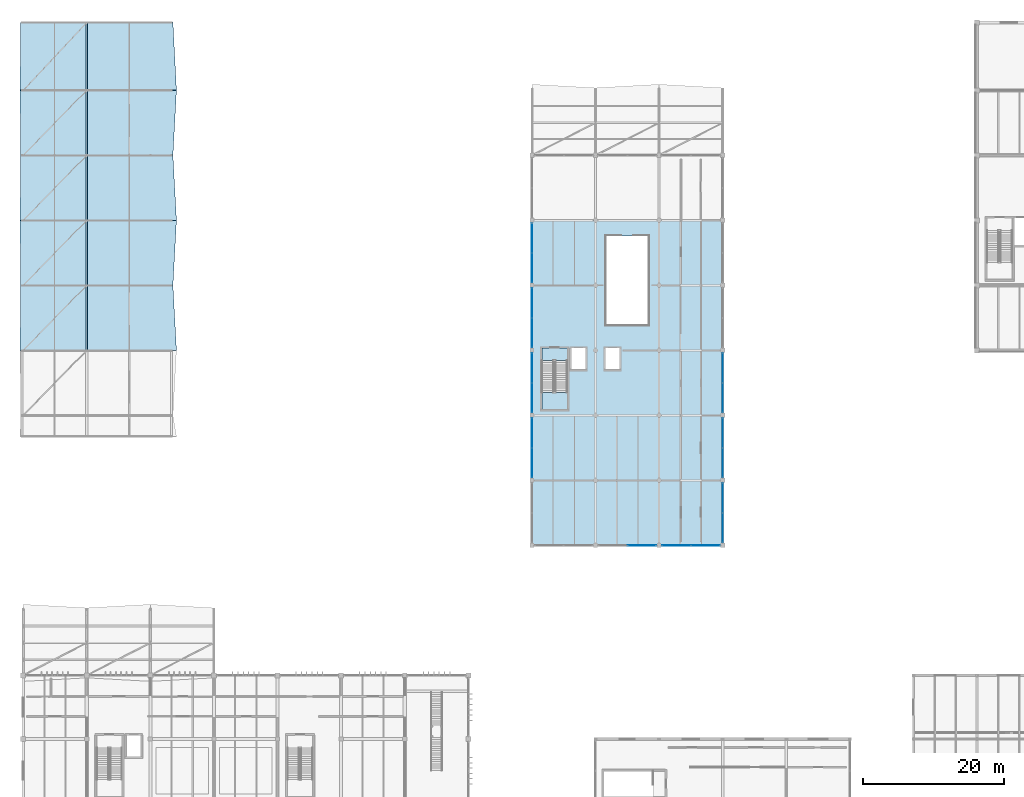
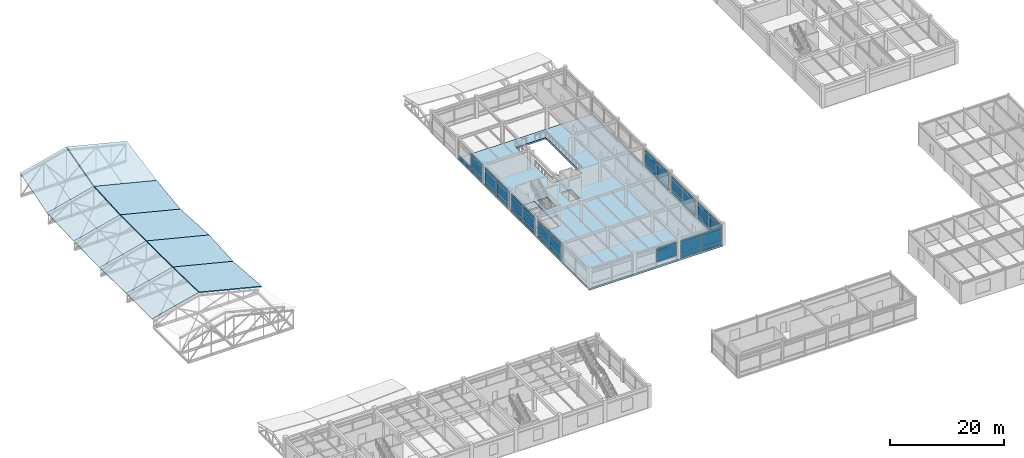
# One storey, part 36 of 61: 48 plates, 13 slabs, 10 elements without a shape of their own.
"""IFC4 building model written with IfcOpenShell, lengths in metres."""

from ifc_helpers import new_model, si_unit, direction, frame, origin, origin_2d, place, context, subcontext, project, spatial, polyline, rectangle, outline, extrude, material, layer, layer_set, type_object, element, aggregate, save


model = new_model("IFC4")

# Units and contexts
model_context = context("Model", 3, precision=1e-05, world=origin(), true_north=direction((0.0, 1.0)))
body_context = subcontext(model_context, "Body", "Model", "MODEL_VIEW")
ifc_project = project(units=[si_unit("LENGTHUNIT", "METRE"), si_unit("AREAUNIT", "SQUARE_METRE"), si_unit("VOLUMEUNIT", "CUBIC_METRE"), si_unit("PLANEANGLEUNIT", "RADIAN"), si_unit("MASSUNIT", "GRAM", prefix="KILO")], contexts=[model_context])

# Site, building, storey
site_placement = place(None, origin())
site = spatial("IfcSite", under=ifc_project, at=site_placement, CompositionType="ELEMENT")
building_placement = place(site_placement, origin())
building = spatial("IfcBuilding", under=site, at=building_placement, Name="Bozkorgan Art Gallery", CompositionType="ELEMENT")
storey_placement = place(building_placement, frame((0.0, 0.0, 10.199951171875)))
storey = spatial("IfcBuildingStorey", under=building, at=storey_placement, Name="L02", CompositionType="ELEMENT", Elevation=10.199951171875)

# Curtain wall, plates
ifc_material_1 = material(Name="Anodised Bronze Aluminium", Category="aluminium")
curtain_wall_type_1 = type_object("IfcCurtainWallType", Name="CW-CW-11", PredefinedType="NOTDEFINED", material=ifc_material_1)
curtain_wall_1_placement = place(storey_placement, origin())
curtain_wall_1 = element("IfcCurtainWall", 1, at=curtain_wall_1_placement, inside=storey, type_object=curtain_wall_type_1, Name="L02 unitised curtain wall CW-V4-L02-1S-03", PredefinedType="NOTDEFINED")
ifc_material_2 = material(Name="Triple Low-E Laminated Glass", Category="glass")
ifc_layer_1 = layer(ifc_material_2, 0.0439453125, Name="Triple Low-E Laminated Glass")
ifc_layer_set_1 = layer_set([ifc_layer_1], Name="Triple Low-E Laminated Glass")
plate_type = type_object("IfcPlateType", Name="CWP-GLZ", PredefinedType="CURTAIN_PANEL", material=ifc_layer_set_1)
plate_1_placement = place(storey_placement, frame((89.548828125, 38.39990234375, 0.95751953125), z_axis=(0.0, 0.0, 1.0), x_axis=(1.0, 0.0, 0.0)))
plate_1 = element("IfcPlate", 2, at=plate_1_placement, type_object=plate_type, Name="CW-11 panel 2.2", PredefinedType="CURTAIN_PANEL", context=body_context, shape_type="SweptSolid", body=[
    extrude(rectangle(XDim=4.0224609375, YDim=0.0439453125, at=origin_2d()), origin(), (0.0, 0.0, 1.0), 2.280029296875),
])
plate_2_placement = place(storey_placement, frame((89.548828125, 38.39990234375, 3.3125), z_axis=(0.0, 0.0, 1.0), x_axis=(1.0, 0.0, 0.0)))
plate_2 = element("IfcPlate", 3, at=plate_2_placement, type_object=plate_type, Name="CW-11 panel 2.3", PredefinedType="CURTAIN_PANEL", context=body_context, shape_type="SweptSolid", body=[
    extrude(rectangle(XDim=4.0224609375, YDim=0.0439453125, at=origin_2d()), origin(), (0.0, 0.0, 1.0), 0.53759765625),
])
aggregate(curtain_wall_1, [plate_1, plate_2])

curtain_wall_2_placement = place(storey_placement, origin())
curtain_wall_2 = element("IfcCurtainWall", 4, at=curtain_wall_2_placement, inside=storey, type_object=curtain_wall_type_1, Name="L02 unitised curtain wall CW-V4-L02-1S-05", PredefinedType="NOTDEFINED")
plate_3_placement = place(storey_placement, frame((94.451171875, 38.39990234375, 0.094970703125), z_axis=(0.0, 0.0, 1.0), x_axis=(1.0, 0.0, 0.0)))
plate_3 = element("IfcPlate", 5, at=plate_3_placement, type_object=plate_type, Name="CW-11 panel 1.1", PredefinedType="CURTAIN_PANEL", context=body_context, shape_type="SweptSolid", body=[
    extrude(rectangle(XDim=4.0224609375, YDim=0.0439453125, at=origin_2d()), origin(), (0.0, 0.0, 1.0), 0.78759765625),
])
plate_4_placement = place(storey_placement, frame((94.451171875, 38.39990234375, 0.95751953125), z_axis=(0.0, 0.0, 1.0), x_axis=(1.0, 0.0, 0.0)))
plate_4 = element("IfcPlate", 6, at=plate_4_placement, type_object=plate_type, Name="CW-11 panel 1.2", PredefinedType="CURTAIN_PANEL", context=body_context, shape_type="SweptSolid", body=[
    extrude(rectangle(XDim=4.0224609375, YDim=0.0439453125, at=origin_2d()), origin(), (0.0, 0.0, 1.0), 2.280029296875),
])
plate_5_placement = place(storey_placement, frame((94.451171875, 38.39990234375, 3.3125), z_axis=(0.0, 0.0, 1.0), x_axis=(1.0, 0.0, 0.0)))
plate_5 = element("IfcPlate", 7, at=plate_5_placement, type_object=plate_type, Name="CW-11 panel 1.3", PredefinedType="CURTAIN_PANEL", context=body_context, shape_type="SweptSolid", body=[
    extrude(rectangle(XDim=4.0224609375, YDim=0.0439453125, at=origin_2d()), origin(), (0.0, 0.0, 1.0), 0.53759765625),
])
plate_6_placement = place(storey_placement, frame((98.548828125, 38.39990234375, 0.094970703125), z_axis=(0.0, 0.0, 1.0), x_axis=(1.0, 0.0, 0.0)))
plate_6 = element("IfcPlate", 8, at=plate_6_placement, type_object=plate_type, Name="CW-11 panel 2.1", PredefinedType="CURTAIN_PANEL", context=body_context, shape_type="SweptSolid", body=[
    extrude(rectangle(XDim=4.0224609375, YDim=0.0439453125, at=origin_2d()), origin(), (0.0, 0.0, 1.0), 0.78759765625),
])
plate_7_placement = place(storey_placement, frame((98.548828125, 38.39990234375, 0.95751953125), z_axis=(0.0, 0.0, 1.0), x_axis=(1.0, 0.0, 0.0)))
plate_7 = element("IfcPlate", 9, at=plate_7_placement, type_object=plate_type, Name="CW-11 panel 2.2", PredefinedType="CURTAIN_PANEL", context=body_context, shape_type="SweptSolid", body=[
    extrude(rectangle(XDim=4.0224609375, YDim=0.0439453125, at=origin_2d()), origin(), (0.0, 0.0, 1.0), 2.280029296875),
])
plate_8_placement = place(storey_placement, frame((98.548828125, 38.39990234375, 3.3125), z_axis=(0.0, 0.0, 1.0), x_axis=(1.0, 0.0, 0.0)))
plate_8 = element("IfcPlate", 10, at=plate_8_placement, type_object=plate_type, Name="CW-11 panel 2.3", PredefinedType="CURTAIN_PANEL", context=body_context, shape_type="SweptSolid", body=[
    extrude(rectangle(XDim=4.0224609375, YDim=0.0439453125, at=origin_2d()), origin(), (0.0, 0.0, 1.0), 0.53759765625),
])
aggregate(curtain_wall_2, [plate_3, plate_4, plate_5, plate_6, plate_7, plate_8])

curtain_wall_type_2 = type_object("IfcCurtainWallType", Name="CW-CW-99", PredefinedType="NOTDEFINED", material=ifc_material_1)
curtain_wall_3_placement = place(storey_placement, origin())
curtain_wall_3 = element("IfcCurtainWall", 11, at=curtain_wall_3_placement, inside=storey, type_object=curtain_wall_type_2, Name="L02 unitised curtain wall CW-V4-L02-1E-08", PredefinedType="NOTDEFINED")
plate_9_placement = place(storey_placement, frame((101.0, 40.9013671875, 0.10009765625), z_axis=(0.0, 0.0, 1.0), x_axis=(0.0, 1.0, 0.0)))
plate_9 = element("IfcPlate", 12, at=plate_9_placement, type_object=plate_type, Name="CW-99 panel 1.1", PredefinedType="CURTAIN_PANEL", context=body_context, shape_type="SweptSolid", body=[
    extrude(rectangle(XDim=4.12255859375, YDim=0.0439453125, at=origin_2d()), origin(), (0.0, 0.0, 1.0), 0.780029296875),
])
plate_10_placement = place(storey_placement, frame((101.0, 40.9013671875, 0.960205078125), z_axis=(0.0, 0.0, 1.0), x_axis=(0.0, 1.0, 0.0)))
plate_10 = element("IfcPlate", 13, at=plate_10_placement, type_object=plate_type, Name="CW-99 panel 1.2", PredefinedType="CURTAIN_PANEL", context=body_context, shape_type="SweptSolid", body=[
    extrude(rectangle(XDim=4.12255859375, YDim=0.0439453125, at=origin_2d()), origin(), (0.0, 0.0, 1.0), 2.27490234375),
])
plate_11_placement = place(storey_placement, frame((101.0, 40.9013671875, 3.31494140625), z_axis=(0.0, 0.0, 1.0), x_axis=(0.0, 1.0, 0.0)))
plate_11 = element("IfcPlate", 14, at=plate_11_placement, type_object=plate_type, Name="CW-99 panel 1.3", PredefinedType="CURTAIN_PANEL", context=body_context, shape_type="SweptSolid", body=[
    extrude(rectangle(XDim=4.12255859375, YDim=0.0439453125, at=origin_2d()), origin(), (0.0, 0.0, 1.0), 0.530029296875),
])
plate_12_placement = place(storey_placement, frame((101.0, 45.0986328125, 0.10009765625), z_axis=(0.0, 0.0, 1.0), x_axis=(0.0, 1.0, 0.0)))
plate_12 = element("IfcPlate", 15, at=plate_12_placement, type_object=plate_type, Name="CW-99 panel 2.1", PredefinedType="CURTAIN_PANEL", context=body_context, shape_type="SweptSolid", body=[
    extrude(rectangle(XDim=4.12255859375, YDim=0.0439453125, at=origin_2d()), origin(), (0.0, 0.0, 1.0), 0.780029296875),
])
plate_13_placement = place(storey_placement, frame((101.0, 45.0986328125, 0.960205078125), z_axis=(0.0, 0.0, 1.0), x_axis=(0.0, 1.0, 0.0)))
plate_13 = element("IfcPlate", 16, at=plate_13_placement, type_object=plate_type, Name="CW-99 panel 2.2", PredefinedType="CURTAIN_PANEL", context=body_context, shape_type="SweptSolid", body=[
    extrude(rectangle(XDim=4.12255859375, YDim=0.0439453125, at=origin_2d()), origin(), (0.0, 0.0, 1.0), 2.27490234375),
])
plate_14_placement = place(storey_placement, frame((101.0, 45.0986328125, 3.31494140625), z_axis=(0.0, 0.0, 1.0), x_axis=(0.0, 1.0, 0.0)))
plate_14 = element("IfcPlate", 17, at=plate_14_placement, type_object=plate_type, Name="CW-99 panel 2.3", PredefinedType="CURTAIN_PANEL", context=body_context, shape_type="SweptSolid", body=[
    extrude(rectangle(XDim=4.12255859375, YDim=0.0439453125, at=origin_2d()), origin(), (0.0, 0.0, 1.0), 0.530029296875),
])
aggregate(curtain_wall_3, [plate_9, plate_10, plate_11, plate_12, plate_13, plate_14])

curtain_wall_4_placement = place(storey_placement, origin())
curtain_wall_4 = element("IfcCurtainWall", 18, at=curtain_wall_4_placement, inside=storey, type_object=curtain_wall_type_2, Name="L02 unitised curtain wall CW-V4-L02-1W-09", PredefinedType="NOTDEFINED")
plate_15_placement = place(storey_placement, frame((74.0, 50.101318359375, 0.10009765625), z_axis=(0.0, 0.0, 1.0), x_axis=(0.0, 1.0, 0.0)))
plate_15 = element("IfcPlate", 19, at=plate_15_placement, type_object=plate_type, Name="CW-99 panel 1.1", PredefinedType="CURTAIN_PANEL", context=body_context, shape_type="SweptSolid", body=[
    extrude(rectangle(XDim=4.12255859375, YDim=0.0439453125, at=origin_2d()), origin(), (0.0, 0.0, 1.0), 0.780029296875),
])
plate_16_placement = place(storey_placement, frame((74.0, 50.101318359375, 0.960205078125), z_axis=(0.0, 0.0, 1.0), x_axis=(0.0, 1.0, 0.0)))
plate_16 = element("IfcPlate", 20, at=plate_16_placement, type_object=plate_type, Name="CW-99 panel 1.2", PredefinedType="CURTAIN_PANEL", context=body_context, shape_type="SweptSolid", body=[
    extrude(rectangle(XDim=4.12255859375, YDim=0.0439453125, at=origin_2d()), origin(), (0.0, 0.0, 1.0), 2.27490234375),
])
plate_17_placement = place(storey_placement, frame((74.0, 50.101318359375, 3.31494140625), z_axis=(0.0, 0.0, 1.0), x_axis=(0.0, 1.0, 0.0)))
plate_17 = element("IfcPlate", 21, at=plate_17_placement, type_object=plate_type, Name="CW-99 panel 1.3", PredefinedType="CURTAIN_PANEL", context=body_context, shape_type="SweptSolid", body=[
    extrude(rectangle(XDim=4.12255859375, YDim=0.0439453125, at=origin_2d()), origin(), (0.0, 0.0, 1.0), 0.530029296875),
])
plate_18_placement = place(storey_placement, frame((74.0, 54.298828125, 0.10009765625), z_axis=(0.0, 0.0, 1.0), x_axis=(0.0, 1.0, 0.0)))
plate_18 = element("IfcPlate", 22, at=plate_18_placement, type_object=plate_type, Name="CW-99 panel 2.1", PredefinedType="CURTAIN_PANEL", context=body_context, shape_type="SweptSolid", body=[
    extrude(rectangle(XDim=4.12255859375, YDim=0.0439453125, at=origin_2d()), origin(), (0.0, 0.0, 1.0), 0.780029296875),
])
plate_19_placement = place(storey_placement, frame((74.0, 54.298828125, 0.960205078125), z_axis=(0.0, 0.0, 1.0), x_axis=(0.0, 1.0, 0.0)))
plate_19 = element("IfcPlate", 23, at=plate_19_placement, type_object=plate_type, Name="CW-99 panel 2.2", PredefinedType="CURTAIN_PANEL", context=body_context, shape_type="SweptSolid", body=[
    extrude(rectangle(XDim=4.12255859375, YDim=0.0439453125, at=origin_2d()), origin(), (0.0, 0.0, 1.0), 2.27490234375),
])
plate_20_placement = place(storey_placement, frame((74.0, 54.298828125, 3.31494140625), z_axis=(0.0, 0.0, 1.0), x_axis=(0.0, 1.0, 0.0)))
plate_20 = element("IfcPlate", 24, at=plate_20_placement, type_object=plate_type, Name="CW-99 panel 2.3", PredefinedType="CURTAIN_PANEL", context=body_context, shape_type="SweptSolid", body=[
    extrude(rectangle(XDim=4.12255859375, YDim=0.0439453125, at=origin_2d()), origin(), (0.0, 0.0, 1.0), 0.530029296875),
])
aggregate(curtain_wall_4, [plate_15, plate_16, plate_17, plate_18, plate_19, plate_20])

curtain_wall_5_placement = place(storey_placement, origin())
curtain_wall_5 = element("IfcCurtainWall", 25, at=curtain_wall_5_placement, inside=storey, type_object=curtain_wall_type_2, Name="L02 unitised curtain wall CW-V4-L02-1E-10", PredefinedType="NOTDEFINED")
plate_21_placement = place(storey_placement, frame((101.0, 50.101318359375, 0.10009765625), z_axis=(0.0, 0.0, 1.0), x_axis=(0.0, 1.0, 0.0)))
plate_21 = element("IfcPlate", 26, at=plate_21_placement, type_object=plate_type, Name="CW-99 panel 1.1", PredefinedType="CURTAIN_PANEL", context=body_context, shape_type="SweptSolid", body=[
    extrude(rectangle(XDim=4.12255859375, YDim=0.0439453125, at=origin_2d()), origin(), (0.0, 0.0, 1.0), 0.780029296875),
])
plate_22_placement = place(storey_placement, frame((101.0, 50.101318359375, 0.960205078125), z_axis=(0.0, 0.0, 1.0), x_axis=(0.0, 1.0, 0.0)))
plate_22 = element("IfcPlate", 27, at=plate_22_placement, type_object=plate_type, Name="CW-99 panel 1.2", PredefinedType="CURTAIN_PANEL", context=body_context, shape_type="SweptSolid", body=[
    extrude(rectangle(XDim=4.12255859375, YDim=0.0439453125, at=origin_2d()), origin(), (0.0, 0.0, 1.0), 2.27490234375),
])
plate_23_placement = place(storey_placement, frame((101.0, 50.101318359375, 3.31494140625), z_axis=(0.0, 0.0, 1.0), x_axis=(0.0, 1.0, 0.0)))
plate_23 = element("IfcPlate", 28, at=plate_23_placement, type_object=plate_type, Name="CW-99 panel 1.3", PredefinedType="CURTAIN_PANEL", context=body_context, shape_type="SweptSolid", body=[
    extrude(rectangle(XDim=4.12255859375, YDim=0.0439453125, at=origin_2d()), origin(), (0.0, 0.0, 1.0), 0.530029296875),
])
plate_24_placement = place(storey_placement, frame((101.0, 54.298828125, 0.10009765625), z_axis=(0.0, 0.0, 1.0), x_axis=(0.0, 1.0, 0.0)))
plate_24 = element("IfcPlate", 29, at=plate_24_placement, type_object=plate_type, Name="CW-99 panel 2.1", PredefinedType="CURTAIN_PANEL", context=body_context, shape_type="SweptSolid", body=[
    extrude(rectangle(XDim=4.12255859375, YDim=0.0439453125, at=origin_2d()), origin(), (0.0, 0.0, 1.0), 0.780029296875),
])
plate_25_placement = place(storey_placement, frame((101.0, 54.298828125, 0.960205078125), z_axis=(0.0, 0.0, 1.0), x_axis=(0.0, 1.0, 0.0)))
plate_25 = element("IfcPlate", 30, at=plate_25_placement, type_object=plate_type, Name="CW-99 panel 2.2", PredefinedType="CURTAIN_PANEL", context=body_context, shape_type="SweptSolid", body=[
    extrude(rectangle(XDim=4.12255859375, YDim=0.0439453125, at=origin_2d()), origin(), (0.0, 0.0, 1.0), 2.27490234375),
])
plate_26_placement = place(storey_placement, frame((101.0, 54.298828125, 3.31494140625), z_axis=(0.0, 0.0, 1.0), x_axis=(0.0, 1.0, 0.0)))
plate_26 = element("IfcPlate", 31, at=plate_26_placement, type_object=plate_type, Name="CW-99 panel 2.3", PredefinedType="CURTAIN_PANEL", context=body_context, shape_type="SweptSolid", body=[
    extrude(rectangle(XDim=4.12255859375, YDim=0.0439453125, at=origin_2d()), origin(), (0.0, 0.0, 1.0), 0.530029296875),
])
aggregate(curtain_wall_5, [plate_21, plate_22, plate_23, plate_24, plate_25, plate_26])

curtain_wall_6_placement = place(storey_placement, origin())
curtain_wall_6 = element("IfcCurtainWall", 32, at=curtain_wall_6_placement, inside=storey, type_object=curtain_wall_type_2, Name="L02 unitised curtain wall CW-V4-L02-1W-11", PredefinedType="NOTDEFINED")
plate_27_placement = place(storey_placement, frame((74.0, 59.30126953125, 0.10009765625), z_axis=(0.0, 0.0, 1.0), x_axis=(0.0, 1.0, 0.0)))
plate_27 = element("IfcPlate", 33, at=plate_27_placement, type_object=plate_type, Name="CW-99 panel 1.1", PredefinedType="CURTAIN_PANEL", context=body_context, shape_type="SweptSolid", body=[
    extrude(rectangle(XDim=4.12255859375, YDim=0.0439453125, at=origin_2d()), origin(), (0.0, 0.0, 1.0), 0.780029296875),
])
plate_28_placement = place(storey_placement, frame((74.0, 59.30126953125, 0.960205078125), z_axis=(0.0, 0.0, 1.0), x_axis=(0.0, 1.0, 0.0)))
plate_28 = element("IfcPlate", 34, at=plate_28_placement, type_object=plate_type, Name="CW-99 panel 1.2", PredefinedType="CURTAIN_PANEL", context=body_context, shape_type="SweptSolid", body=[
    extrude(rectangle(XDim=4.12255859375, YDim=0.0439453125, at=origin_2d()), origin(), (0.0, 0.0, 1.0), 2.27490234375),
])
plate_29_placement = place(storey_placement, frame((74.0, 59.30126953125, 3.31494140625), z_axis=(0.0, 0.0, 1.0), x_axis=(0.0, 1.0, 0.0)))
plate_29 = element("IfcPlate", 35, at=plate_29_placement, type_object=plate_type, Name="CW-99 panel 1.3", PredefinedType="CURTAIN_PANEL", context=body_context, shape_type="SweptSolid", body=[
    extrude(rectangle(XDim=4.12255859375, YDim=0.0439453125, at=origin_2d()), origin(), (0.0, 0.0, 1.0), 0.530029296875),
])
plate_30_placement = place(storey_placement, frame((74.0, 63.498779296875, 0.10009765625), z_axis=(0.0, 0.0, 1.0), x_axis=(0.0, 1.0, 0.0)))
plate_30 = element("IfcPlate", 36, at=plate_30_placement, type_object=plate_type, Name="CW-99 panel 2.1", PredefinedType="CURTAIN_PANEL", context=body_context, shape_type="SweptSolid", body=[
    extrude(rectangle(XDim=4.12255859375, YDim=0.0439453125, at=origin_2d()), origin(), (0.0, 0.0, 1.0), 0.780029296875),
])
plate_31_placement = place(storey_placement, frame((74.0, 63.498779296875, 0.960205078125), z_axis=(0.0, 0.0, 1.0), x_axis=(0.0, 1.0, 0.0)))
plate_31 = element("IfcPlate", 37, at=plate_31_placement, type_object=plate_type, Name="CW-99 panel 2.2", PredefinedType="CURTAIN_PANEL", context=body_context, shape_type="SweptSolid", body=[
    extrude(rectangle(XDim=4.12255859375, YDim=0.0439453125, at=origin_2d()), origin(), (0.0, 0.0, 1.0), 2.27490234375),
])
plate_32_placement = place(storey_placement, frame((74.0, 63.498779296875, 3.31494140625), z_axis=(0.0, 0.0, 1.0), x_axis=(0.0, 1.0, 0.0)))
plate_32 = element("IfcPlate", 38, at=plate_32_placement, type_object=plate_type, Name="CW-99 panel 2.3", PredefinedType="CURTAIN_PANEL", context=body_context, shape_type="SweptSolid", body=[
    extrude(rectangle(XDim=4.12255859375, YDim=0.0439453125, at=origin_2d()), origin(), (0.0, 0.0, 1.0), 0.530029296875),
])
aggregate(curtain_wall_6, [plate_27, plate_28, plate_29, plate_30, plate_31, plate_32])

curtain_wall_7_placement = place(storey_placement, origin())
curtain_wall_7 = element("IfcCurtainWall", 39, at=curtain_wall_7_placement, inside=storey, type_object=curtain_wall_type_2, Name="L02 unitised curtain wall CW-V4-L02-1E-12", PredefinedType="NOTDEFINED")
plate_33_placement = place(storey_placement, frame((101.0, 59.30126953125, 0.10009765625), z_axis=(0.0, 0.0, 1.0), x_axis=(0.0, 1.0, 0.0)))
plate_33 = element("IfcPlate", 40, at=plate_33_placement, type_object=plate_type, Name="CW-99 panel 1.1", PredefinedType="CURTAIN_PANEL", context=body_context, shape_type="SweptSolid", body=[
    extrude(rectangle(XDim=4.12255859375, YDim=0.0439453125, at=origin_2d()), origin(), (0.0, 0.0, 1.0), 0.780029296875),
])
plate_34_placement = place(storey_placement, frame((101.0, 59.30126953125, 0.960205078125), z_axis=(0.0, 0.0, 1.0), x_axis=(0.0, 1.0, 0.0)))
plate_34 = element("IfcPlate", 41, at=plate_34_placement, type_object=plate_type, Name="CW-99 panel 1.2", PredefinedType="CURTAIN_PANEL", context=body_context, shape_type="SweptSolid", body=[
    extrude(rectangle(XDim=4.12255859375, YDim=0.0439453125, at=origin_2d()), origin(), (0.0, 0.0, 1.0), 2.27490234375),
])
plate_35_placement = place(storey_placement, frame((101.0, 59.30126953125, 3.31494140625), z_axis=(0.0, 0.0, 1.0), x_axis=(0.0, 1.0, 0.0)))
plate_35 = element("IfcPlate", 42, at=plate_35_placement, type_object=plate_type, Name="CW-99 panel 1.3", PredefinedType="CURTAIN_PANEL", context=body_context, shape_type="SweptSolid", body=[
    extrude(rectangle(XDim=4.12255859375, YDim=0.0439453125, at=origin_2d()), origin(), (0.0, 0.0, 1.0), 0.530029296875),
])
plate_36_placement = place(storey_placement, frame((101.0, 63.498779296875, 0.10009765625), z_axis=(0.0, 0.0, 1.0), x_axis=(0.0, 1.0, 0.0)))
plate_36 = element("IfcPlate", 43, at=plate_36_placement, type_object=plate_type, Name="CW-99 panel 2.1", PredefinedType="CURTAIN_PANEL", context=body_context, shape_type="SweptSolid", body=[
    extrude(rectangle(XDim=4.12255859375, YDim=0.0439453125, at=origin_2d()), origin(), (0.0, 0.0, 1.0), 0.780029296875),
])
plate_37_placement = place(storey_placement, frame((101.0, 63.498779296875, 0.960205078125), z_axis=(0.0, 0.0, 1.0), x_axis=(0.0, 1.0, 0.0)))
plate_37 = element("IfcPlate", 44, at=plate_37_placement, type_object=plate_type, Name="CW-99 panel 2.2", PredefinedType="CURTAIN_PANEL", context=body_context, shape_type="SweptSolid", body=[
    extrude(rectangle(XDim=4.12255859375, YDim=0.0439453125, at=origin_2d()), origin(), (0.0, 0.0, 1.0), 2.27490234375),
])
plate_38_placement = place(storey_placement, frame((101.0, 63.498779296875, 3.31494140625), z_axis=(0.0, 0.0, 1.0), x_axis=(0.0, 1.0, 0.0)))
plate_38 = element("IfcPlate", 45, at=plate_38_placement, type_object=plate_type, Name="CW-99 panel 2.3", PredefinedType="CURTAIN_PANEL", context=body_context, shape_type="SweptSolid", body=[
    extrude(rectangle(XDim=4.12255859375, YDim=0.0439453125, at=origin_2d()), origin(), (0.0, 0.0, 1.0), 0.530029296875),
])
aggregate(curtain_wall_7, [plate_33, plate_34, plate_35, plate_36, plate_37, plate_38])

curtain_wall_8_placement = place(storey_placement, origin())
curtain_wall_8 = element("IfcCurtainWall", 46, at=curtain_wall_8_placement, inside=storey, type_object=curtain_wall_type_2, Name="L02 unitised curtain wall CW-V4-L02-1W-13", PredefinedType="NOTDEFINED")
plate_39_placement = place(storey_placement, frame((74.0, 68.501220703125, 0.10009765625), z_axis=(0.0, 0.0, 1.0), x_axis=(0.0, 1.0, 0.0)))
plate_39 = element("IfcPlate", 47, at=plate_39_placement, type_object=plate_type, Name="CW-99 panel 1.1", PredefinedType="CURTAIN_PANEL", context=body_context, shape_type="SweptSolid", body=[
    extrude(rectangle(XDim=4.12255859375, YDim=0.0439453125, at=origin_2d()), origin(), (0.0, 0.0, 1.0), 0.780029296875),
])
plate_40_placement = place(storey_placement, frame((74.0, 68.501220703125, 0.960205078125), z_axis=(0.0, 0.0, 1.0), x_axis=(0.0, 1.0, 0.0)))
plate_40 = element("IfcPlate", 48, at=plate_40_placement, type_object=plate_type, Name="CW-99 panel 1.2", PredefinedType="CURTAIN_PANEL", context=body_context, shape_type="SweptSolid", body=[
    extrude(rectangle(XDim=4.12255859375, YDim=0.0439453125, at=origin_2d()), origin(), (0.0, 0.0, 1.0), 2.27490234375),
])
plate_41_placement = place(storey_placement, frame((74.0, 68.501220703125, 3.31494140625), z_axis=(0.0, 0.0, 1.0), x_axis=(0.0, 1.0, 0.0)))
plate_41 = element("IfcPlate", 49, at=plate_41_placement, type_object=plate_type, Name="CW-99 panel 1.3", PredefinedType="CURTAIN_PANEL", context=body_context, shape_type="SweptSolid", body=[
    extrude(rectangle(XDim=4.12255859375, YDim=0.0439453125, at=origin_2d()), origin(), (0.0, 0.0, 1.0), 0.530029296875),
])
plate_42_placement = place(storey_placement, frame((74.0, 72.69873046875, 0.10009765625), z_axis=(0.0, 0.0, 1.0), x_axis=(0.0, 1.0, 0.0)))
plate_42 = element("IfcPlate", 50, at=plate_42_placement, type_object=plate_type, Name="CW-99 panel 2.1", PredefinedType="CURTAIN_PANEL", context=body_context, shape_type="SweptSolid", body=[
    extrude(rectangle(XDim=4.12255859375, YDim=0.0439453125, at=origin_2d()), origin(), (0.0, 0.0, 1.0), 0.780029296875),
])
plate_43_placement = place(storey_placement, frame((74.0, 72.69873046875, 0.960205078125), z_axis=(0.0, 0.0, 1.0), x_axis=(0.0, 1.0, 0.0)))
plate_43 = element("IfcPlate", 51, at=plate_43_placement, type_object=plate_type, Name="CW-99 panel 2.2", PredefinedType="CURTAIN_PANEL", context=body_context, shape_type="SweptSolid", body=[
    extrude(rectangle(XDim=4.12255859375, YDim=0.0439453125, at=origin_2d()), origin(), (0.0, 0.0, 1.0), 2.27490234375),
])
plate_44_placement = place(storey_placement, frame((74.0, 72.69873046875, 3.31494140625), z_axis=(0.0, 0.0, 1.0), x_axis=(0.0, 1.0, 0.0)))
plate_44 = element("IfcPlate", 52, at=plate_44_placement, type_object=plate_type, Name="CW-99 panel 2.3", PredefinedType="CURTAIN_PANEL", context=body_context, shape_type="SweptSolid", body=[
    extrude(rectangle(XDim=4.12255859375, YDim=0.0439453125, at=origin_2d()), origin(), (0.0, 0.0, 1.0), 0.530029296875),
])
aggregate(curtain_wall_8, [plate_39, plate_40, plate_41, plate_42, plate_43, plate_44])

curtain_wall_9_placement = place(storey_placement, origin())
curtain_wall_9 = element("IfcCurtainWall", 53, at=curtain_wall_9_placement, inside=storey, type_object=curtain_wall_type_2, Name="L02 unitised curtain wall CW-V4-L02-1W-15", PredefinedType="NOTDEFINED")
plate_45_placement = place(storey_placement, frame((74.0, 77.701171875, 0.10009765625), z_axis=(0.0, 0.0, 1.0), x_axis=(0.0, 1.0, 0.0)))
plate_45 = element("IfcPlate", 54, at=plate_45_placement, type_object=plate_type, Name="CW-99 panel 1.1", PredefinedType="CURTAIN_PANEL", context=body_context, shape_type="SweptSolid", body=[
    extrude(rectangle(XDim=4.12255859375, YDim=0.0439453125, at=origin_2d()), origin(), (0.0, 0.0, 1.0), 0.780029296875),
])
plate_46_placement = place(storey_placement, frame((74.0, 77.701171875, 0.960205078125), z_axis=(0.0, 0.0, 1.0), x_axis=(0.0, 1.0, 0.0)))
plate_46 = element("IfcPlate", 55, at=plate_46_placement, type_object=plate_type, Name="CW-99 panel 1.2", PredefinedType="CURTAIN_PANEL", context=body_context, shape_type="SweptSolid", body=[
    extrude(rectangle(XDim=4.12255859375, YDim=0.0439453125, at=origin_2d()), origin(), (0.0, 0.0, 1.0), 2.27490234375),
])
plate_47_placement = place(storey_placement, frame((74.0, 77.701171875, 3.31494140625), z_axis=(0.0, 0.0, 1.0), x_axis=(0.0, 1.0, 0.0)))
plate_47 = element("IfcPlate", 56, at=plate_47_placement, type_object=plate_type, Name="CW-99 panel 1.3", PredefinedType="CURTAIN_PANEL", context=body_context, shape_type="SweptSolid", body=[
    extrude(rectangle(XDim=4.12255859375, YDim=0.0439453125, at=origin_2d()), origin(), (0.0, 0.0, 1.0), 0.530029296875),
])
plate_48_placement = place(storey_placement, frame((74.0, 81.898681640625, 0.10009765625), z_axis=(0.0, 0.0, 1.0), x_axis=(0.0, 1.0, 0.0)))
plate_48 = element("IfcPlate", 57, at=plate_48_placement, type_object=plate_type, Name="CW-99 panel 2.1", PredefinedType="CURTAIN_PANEL", context=body_context, shape_type="SweptSolid", body=[
    extrude(rectangle(XDim=4.12255859375, YDim=0.0439453125, at=origin_2d()), origin(), (0.0, 0.0, 1.0), 0.780029296875),
])
aggregate(curtain_wall_9, [plate_45, plate_46, plate_47, plate_48])

# Stair, slab
ifc_material_3 = material(Name="Concrete C35/45", Category="concrete")
stair_type = type_object("IfcStairType", Name="STAIR-CORE2", PredefinedType="HALF_TURN_STAIR", material=ifc_material_3)
stair_placement = place(storey_placement, origin())
stair = element("IfcStair", 58, at=stair_placement, inside=storey, type_object=stair_type, Name="L02 ST2 Core Stair", PredefinedType="HALF_TURN_STAIR")
ifc_layer_2 = layer(ifc_material_3, 0.25, Name="Concrete C35/45")
ifc_layer_set_2 = layer_set([ifc_layer_2], Name="Concrete C35/45")
slab_type_1 = type_object("IfcSlabType", Name="LAND-CORE2", PredefinedType="LANDING", material=ifc_layer_set_2)
slab_1_placement = place(storey_placement, frame((0.0, 0.0, 2.199951171875)))
slab_1 = element("IfcSlab", 59, at=slab_1_placement, type_object=slab_type_1, Name="ST2 landing 1", PredefinedType="LANDING", context=body_context, shape_type="SweptSolid", body=[
    extrude(outline(polyline([(75.39990234375, 60.050048828125), (75.39990234375, 57.64990234375), (79.0, 57.64990234375), (79.0, 60.050048828125), (75.39990234375, 60.050048828125)])), origin(), (0.0, 0.0, 1.0), 0.2001953125),
])
aggregate(stair, [slab_1])

# Slabs
slab_2_placement = place(storey_placement, frame((0.0, 0.0, -0.35986328125)))
element("IfcSlab", 60, at=slab_2_placement, inside=storey, type_object=slab_type_1, Name="ST2 L02 floor landing", PredefinedType="LANDING", context=body_context, shape_type="SweptSolid", body=[
    extrude(outline(polyline([(75.39990234375, 64.550048828125), (79.0, 64.550048828125), (79.0, 66.300048828125), (75.39990234375, 66.300048828125), (75.39990234375, 64.550048828125)])), origin(), (0.0, 0.0, 1.0), 0.35986328125),
])
ifc_layer_3 = layer(ifc_material_3, 0.219970703125, Name="Concrete C35/45")
ifc_layer_set_3 = layer_set([ifc_layer_3], Name="Concrete C35/45")
slab_type_2 = type_object("IfcSlabType", Name="SLAB-RF-44", PredefinedType="ROOF", material=ifc_layer_set_3)
slab_3_placement = place(storey_placement, frame((1.550048828125, 66.0, 2.241943359375), z_axis=(-0.241865327963, 0.021752351053, 0.970065976289), x_axis=(0.970295558255, -6.547e-09, 0.241922569492)))
element("IfcSlab", 61, at=slab_3_placement, inside=storey, type_object=slab_type_2, Name="ROOF-V2-MAIN swept-eave pitched roof slab 3W", PredefinedType="ROOF", context=body_context, shape_type="SweptSolid", body=[
    extrude(outline(polyline([(0.0, 0.0), (9.656721264100952, 6.938893903907228e-18), (9.606812861284013, 9.202128553910217), (0.05300345885657177, 9.202128428105711), (0.0, 0.0)])), origin(), (0.0, 0.0, -1.0), 0.219970703125),
])
slab_4_placement = place(storey_placement, frame((11.080078125, 66.0, 4.578125), z_axis=(0.241861038917, 0.021747745353, 0.970067148926), x_axis=(0.97029663356, 7.6115e-08, -0.241918256654)))
element("IfcSlab", 62, at=slab_4_placement, inside=storey, type_object=slab_type_2, Name="ROOF-V2-MAIN swept-eave pitched roof slab 3E", PredefinedType="ROOF", context=body_context, shape_type="SweptSolid", body=[
    extrude(outline(polyline([(0.0, 0.0), (13.006212347923938, -1.3877787807814457e-17), (12.540791464243792, 9.20212661397348), (0.0499081531071268, 9.202128555152402), (0.0, 0.0)])), origin(), (0.0, 0.0, -1.0), 0.219970703125),
])
slab_5_placement = place(storey_placement, frame((1.64990234375, 75.199951171875, 2.060546875), z_axis=(-0.241922569354, 3.16006e-07, 0.97029555829), x_axis=(0.97029555829, 0.0, 0.241922569354)))
element("IfcSlab", 63, at=slab_5_placement, inside=storey, type_object=slab_type_2, Name="ROOF-V2-MAIN swept-eave pitched roof slab 4W", PredefinedType="ROOF", context=body_context, shape_type="SweptSolid", body=[
    extrude(outline(polyline([(0.0, 0.0), (9.553809402427444, -1.0587911840678754e-22), (9.553809402428328, 9.199951171874542), (-0.10291186167262306, 9.199951171876387), (0.0, 0.0)])), origin(), (0.0, 0.0, -1.0), 0.219970703125),
])
slab_6_placement = place(storey_placement, frame((11.080078125, 75.199951171875, 4.371826171875), z_axis=(0.241918255045, 4.949097e-06, 0.970296633948), x_axis=(0.97029663396, -1.8e-11, -0.241918255048)))
element("IfcSlab", 64, at=slab_6_placement, inside=storey, type_object=slab_type_2, Name="ROOF-V2-MAIN swept-eave pitched roof slab 4E", PredefinedType="ROOF", context=body_context, shape_type="SweptSolid", body=[
    extrude(outline(polyline([(0.0, 0.0), (12.490883311136779, -1.6940658945086007e-21), (13.00621234775793, 9.199951172222308), (-1.659700629579324e-10, 9.199951171762331), (0.0, 0.0)])), origin(), (0.0, 0.0, -1.0), 0.219970703125),
])
slab_7_placement = place(storey_placement, frame((1.550048828125, 84.39990234375, 2.03564453125), z_axis=(-0.241922569354, -3.15997e-07, 0.97029555829), x_axis=(0.97029555829, 0.0, 0.241922569354)))
element("IfcSlab", 65, at=slab_7_placement, inside=storey, type_object=slab_type_2, Name="ROOF-V2-MAIN swept-eave pitched roof slab 5W", PredefinedType="ROOF", context=body_context, shape_type="SweptSolid", body=[
    extrude(outline(polyline([(0.0, 0.0), (9.656721264100952, 0.0), (9.656721264101828, 9.200195312499542), (0.10291186167438299, 9.20019531250137), (0.0, 0.0)])), origin(), (0.0, 0.0, -1.0), 0.219970703125),
])
slab_8_placement = place(storey_placement, frame((11.080078125, 84.39990234375, 4.371826171875), z_axis=(0.241918255045, -4.948965e-06, 0.970296633948), x_axis=(0.97029663396, -1.7e-11, -0.241918255048)))
element("IfcSlab", 66, at=slab_8_placement, inside=storey, type_object=slab_type_2, Name="ROOF-V2-MAIN swept-eave pitched roof slab 5E", PredefinedType="ROOF", context=body_context, shape_type="SweptSolid", body=[
    extrude(outline(polyline([(0.0, 0.0), (13.006212347923901, -1.6940658945086007e-21), (12.490883310977384, 9.200195312829074), (-1.593940367957517e-10, 9.200195312387335), (0.0, 0.0)])), origin(), (0.0, 0.0, -1.0), 0.219970703125),
])
slab_9_placement = place(storey_placement, frame((1.64990234375, 93.60009765625, 2.060546875), z_axis=(-0.241558861486, -0.054813793722, 0.968836810023), x_axis=(0.970295558511, -1.6655e-08, 0.241922568467)))
element("IfcSlab", 67, at=slab_9_placement, inside=storey, type_object=slab_type_2, Name="ROOF-V2-MAIN swept-eave pitched roof slab 6W", PredefinedType="ROOF", context=body_context, shape_type="SweptSolid", body=[
    extrude(outline(polyline([(0.0, 0.0), (9.553809402427445, 1.3877787807814457e-17), (9.679731836110884, 9.213803421413143), (0.023010572009935046, 9.21380310098328), (0.0, 0.0)])), origin(), (0.0, 0.0, -1.0), 0.219970703125),
])
slab_10_placement = place(storey_placement, frame((11.080078125, 93.60009765625, 4.371826171875), z_axis=(0.241554614111, -0.054809242079, 0.968838126513), x_axis=(0.970296636609, 1.99489e-07, -0.241918244423)))
element("IfcSlab", 68, at=slab_10_placement, inside=storey, type_object=slab_type_2, Name="ROOF-V2-MAIN swept-eave pitched roof slab 6E", PredefinedType="ROOF", context=body_context, shape_type="SweptSolid", body=[
    extrude(outline(polyline([(0.0, 0.0), (12.490883311137026, 0.0), (12.880293847003246, 9.213798381003132), (-0.12591850091989637, 9.213803475048561), (0.0, 0.0)])), origin(), (0.0, 0.0, -1.0), 0.219970703125),
])
slab_11_placement = place(storey_placement, frame((1.550048828125, 102.800048828125, 2.55615234375), z_axis=(-0.233929286879, -0.254930664493, 0.938236348178), x_axis=(0.970295553557, 7.4213e-08, 0.241922588338)))
element("IfcSlab", 69, at=slab_11_placement, inside=storey, type_object=slab_type_2, Name="ROOF-V2-MAIN swept-eave pitched roof slab 7W", PredefinedType="ROOF", context=body_context, shape_type="SweptSolid", body=[
    extrude(outline(polyline([(0.0, 0.0), (9.65672126410098, 0.0), (10.287752477954458, 9.92787638608302), (0.7339430755270998, 9.927877860472002), (0.0, 0.0)])), origin(), (0.0, 0.0, -1.0), 0.219970703125),
])
slab_12_placement = place(storey_placement, frame((11.080078125, 102.800048828125, 4.892333984375), z_axis=(0.23392484223, -0.254934943095, 0.938236293786), x_axis=(0.970296578919, -8.62974e-07, -0.241918475809)))
element("IfcSlab", 70, at=slab_12_placement, inside=storey, type_object=slab_type_2, Name="ROOF-V2-MAIN swept-eave pitched roof slab 7E", PredefinedType="ROOF", context=body_context, shape_type="SweptSolid", body=[
    extrude(outline(polyline([(0.0, 0.0), (13.006212347929079, 1.1102230246251565e-16), (11.85985525239431, 9.927899341731997), (-0.6310280587271321, 9.927876586530012), (0.0, 0.0)])), origin(), (0.0, 0.0, -1.0), 0.219970703125),
])
ifc_layer_4 = layer(ifc_material_3, 0.360107421875, Name="Concrete C35/45")
ifc_layer_set_4 = layer_set([ifc_layer_4], Name="Concrete C35/45")
slab_type_3 = type_object("IfcSlabType", Name="SLAB-SL-87", PredefinedType="FLOOR", material=ifc_layer_set_4)
slab_13_placement = place(storey_placement, frame((0.0, 0.0, -0.35986328125)))
element("IfcSlab", 71, at=slab_13_placement, inside=storey, type_object=slab_type_3, Name="V4 L02 floor slab 1.1", PredefinedType="FLOOR", context=body_context, shape_type="SweptSolid", body=[
    extrude(outline(polyline([(74.0, 38.39990234375), (101.0, 38.39990234375), (101.0, 84.39990234375), (74.0, 84.39990234375), (74.0, 38.39990234375)]), holes=[polyline([(75.39990234375, 57.64990234375), (79.0, 57.64990234375), (79.0, 66.300048828125), (75.39990234375, 66.300048828125), (75.39990234375, 57.64990234375)]), polyline([(79.60009765625, 63.300048828125), (81.60009765625, 63.300048828125), (81.60009765625, 66.300048828125), (79.60009765625, 66.300048828125), (79.60009765625, 63.300048828125)]), polyline([(84.39990234375, 63.300048828125), (86.39990234375, 63.300048828125), (86.39990234375, 66.300048828125), (84.39990234375, 66.300048828125), (84.39990234375, 63.300048828125)]), polyline([(84.5, 69.60009765625), (90.5, 69.60009765625), (90.5, 82.199951171875), (84.5, 82.199951171875), (84.5, 69.60009765625)])]), origin(), (0.0, 0.0, 1.0), 0.35986328125),
])

save(model, "model.ifc")
